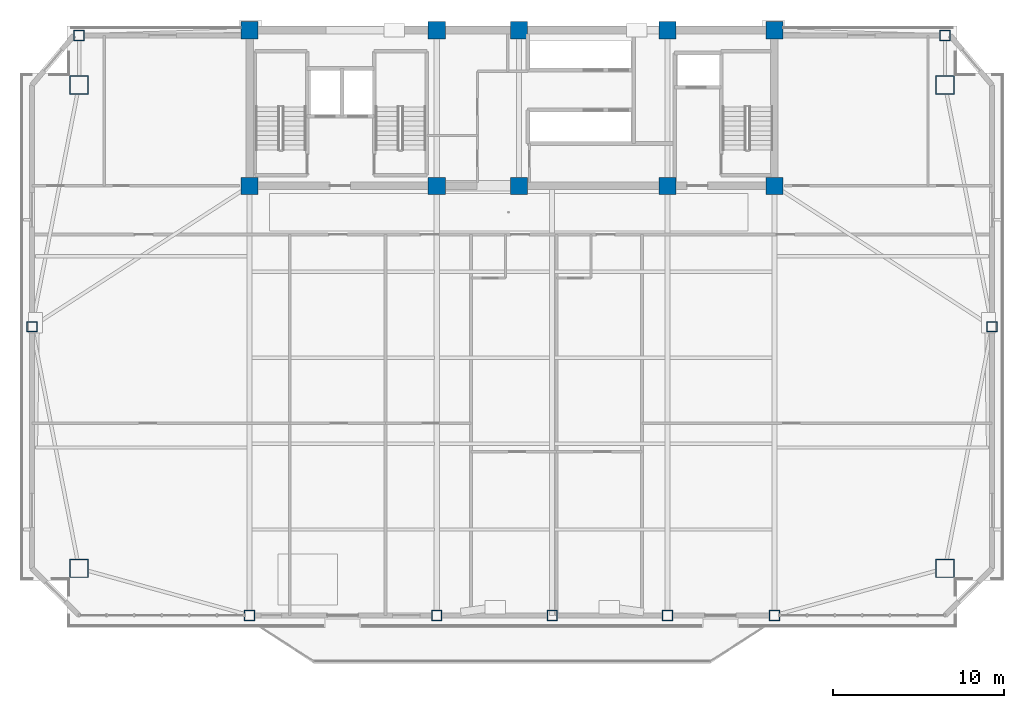
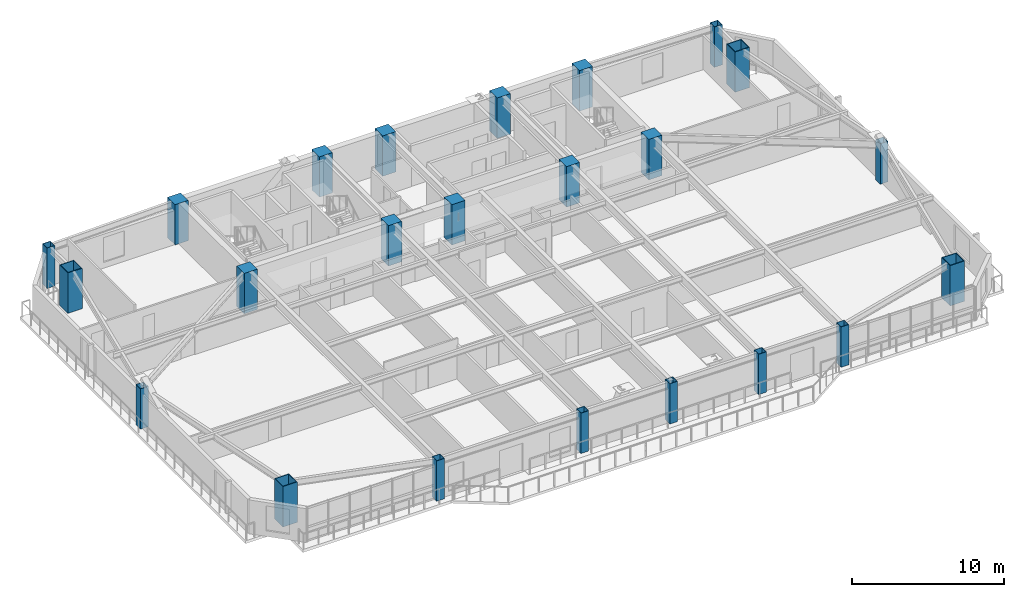
# One storey, part 1 of 17: 23 columns.
"""IFC4 building model written with IfcOpenShell, lengths in metres."""

from ifc_helpers import new_model, si_unit, direction, frame, origin, origin_2d, place, context, subcontext, project, spatial, rectangle, hollow_rectangle, extrude, source, transform, mapped, material, material_profile, profile_set, type_object, element, save


model = new_model("IFC4")

# Units and contexts
model_context = context("Model", 3, precision=1e-05, world=origin(), true_north=direction((0.0, 1.0)))
body_context = subcontext(model_context, "Body", "Model", "MODEL_VIEW")
ifc_project = project(units=[si_unit("LENGTHUNIT", "METRE"), si_unit("AREAUNIT", "SQUARE_METRE"), si_unit("VOLUMEUNIT", "CUBIC_METRE"), si_unit("PLANEANGLEUNIT", "RADIAN"), si_unit("MASSUNIT", "GRAM", prefix="KILO")], contexts=[model_context])

# Site, building, storey
site_placement = place(None, origin())
site = spatial("IfcSite", under=ifc_project, at=site_placement, CompositionType="ELEMENT")
building_placement = place(site_placement, origin())
building = spatial("IfcBuilding", under=site, at=building_placement, Name="Giltprow Tower", CompositionType="ELEMENT")
storey_placement = place(building_placement, frame((0.0, 0.0, 216.699951171875)))
storey = spatial("IfcBuildingStorey", under=building, at=storey_placement, Name="L55", CompositionType="ELEMENT", Elevation=216.699951171875)

# Columns
ifc_material_1 = material(Name="Concrete C50", Category="concrete")
ifc_material_profile_1 = material_profile(ifc_material_1, rectangle(XDim=1.0, YDim=1.0, at=origin_2d()), Name="RC 1000x1000")
ifc_profile_set_1 = profile_set([ifc_material_profile_1], Name="Concrete C50")
column_type_1 = type_object("IfcColumnType", Name="PIL-RC-1000-C50", PredefinedType="PILASTER", material=ifc_profile_set_1)
shared_shape_1 = source(origin(), body_context, "Body", "SweptSolid", [
    extrude(rectangle(XDim=1.0, YDim=1.0, at=origin_2d()), origin(), (0.0, 0.0, 1.0), 3.239990234375),
])
for number, where, z_axis, x_axis, name in (
    (1, (19.85009765625, 37.449951171875, 0.0), (0.0, 0.0, 1.0), (1.0, 0.0, 0.0), "L55 Core Boundary Pilaster 1-1"),
    (2, (19.85009765625, 46.550048828125, 0.0), (0.0, 0.0, 1.0), (1.0, 0.0, 0.0), "L55 Core Boundary Pilaster 1-2"),
    (3, (30.800048828125, 37.449951171875, 0.0), (0.0, 0.0, 1.0), (1.0, 0.0, 0.0), "L55 Core Boundary Pilaster 2-1"),
    (4, (30.800048828125, 46.550048828125, 0.0), (0.0, 0.0, 1.0), (1.0, 0.0, 0.0), "L55 Core Boundary Pilaster 2-2"),
    (5, (35.60009765625, 37.449951171875, 0.0), (0.0, 0.0, 1.0), (1.0, 0.0, 0.0), "L55 Core Boundary Pilaster 3-1"),
    (6, (35.60009765625, 46.550048828125, 0.0), (0.0, 0.0, 1.0), (1.0, 0.0, 0.0), "L55 Core Boundary Pilaster 3-2"),
    (7, (44.300048828125, 37.449951171875, 0.0), (0.0, 0.0, 1.0), (1.0, 0.0, 0.0), "L55 Core Boundary Pilaster 4-1"),
    (8, (44.300048828125, 46.550048828125, 0.0), (0.0, 0.0, 1.0), (1.0, 0.0, 0.0), "L55 Core Boundary Pilaster 4-2"),
    (9, (50.550048828125, 37.449951171875, 0.0), (0.0, 0.0, 1.0), (1.0, 0.0, 0.0), "L55 Core Boundary Pilaster 5-1"),
    (10, (50.550048828125, 46.550048828125, 0.0), (0.0, 0.0, 1.0), (1.0, 0.0, 0.0), "L55 Core Boundary Pilaster 5-2"),
):
    element("IfcColumn", number, at=place(storey_placement, frame(where, z_axis=z_axis, x_axis=x_axis)), inside=storey, type_object=column_type_1, Name=name, PredefinedType="PILASTER", context=body_context, shape_type="MappedRepresentation", body=[
        mapped(shared_shape_1, transform((0.0, 0.0, 0.0), x_axis=(1.0, 0.0, 0.0), y_axis=(0.0, 1.0, 0.0), z_axis=(0.0, 0.0, 1.0), scale=1.0)),
    ])
ifc_material_2 = material(Name="Structural steel Q420GJC", Category="steel")
ifc_material_profile_2 = material_profile(ifc_material_2, hollow_rectangle(XDim=1.10009765625, YDim=1.10009765625, WallThickness=0.050048828125, at=origin_2d()), Name="BOX 1100x1100x50")
ifc_profile_set_2 = profile_set([ifc_material_profile_2], Name="Structural steel Q420GJC")
column_type_2 = type_object("IfcColumnType", Name="COL-BOX-1100x1100x50", PredefinedType="COLUMN", material=ifc_profile_set_2)
shared_shape_2 = source(origin(), body_context, "Body", "SweptSolid", [
    extrude(hollow_rectangle(XDim=1.10009765625, YDim=1.10009765625, WallThickness=0.050048828125, at=origin_2d()), origin(), (0.0, 0.0, 1.0), 3.239990234375),
])
for number, where, z_axis, x_axis, name in (
    (11, (9.8720703125, 15.072021484375, 0.0), (0.0, 0.0, 1.0), (1.0, 0.0, 0.0), "L55 Mega-Column MC_SW"),
    (12, (60.528076171875, 15.072021484375, 0.0), (0.0, 0.0, 1.0), (1.0, 0.0, 0.0), "L55 Mega-Column MC_SE"),
    (13, (9.8720703125, 43.345947265625, 0.0), (0.0, 0.0, 1.0), (1.0, 0.0, 0.0), "L55 Mega-Column MC_NW"),
    (14, (60.528076171875, 43.345947265625, 0.0), (0.0, 0.0, 1.0), (1.0, 0.0, 0.0), "L55 Mega-Column MC_NE"),
):
    element("IfcColumn", number, at=place(storey_placement, frame(where, z_axis=z_axis, x_axis=x_axis)), inside=storey, type_object=column_type_2, Name=name, PredefinedType="COLUMN", context=body_context, shape_type="MappedRepresentation", body=[
        mapped(shared_shape_2, transform((0.0, 0.0, 0.0), x_axis=(1.0, 0.0, 0.0), y_axis=(0.0, 1.0, 0.0), z_axis=(0.0, 0.0, 1.0), scale=1.0)),
    ])
ifc_material_3 = material(Name="Structural steel Q355B", Category="steel")
ifc_material_profile_3 = material_profile(ifc_material_3, hollow_rectangle(XDim=0.60009765625, YDim=0.60009765625, WallThickness=0.028076171875, at=origin_2d()), Name="BOX 600x600x28")
ifc_profile_set_3 = profile_set([ifc_material_profile_3], Name="Structural steel Q355B")
column_type_3 = type_object("IfcColumnType", Name="COL-BOX-600x600x28", PredefinedType="COLUMN", material=ifc_profile_set_3)
shared_shape_3 = source(origin(), body_context, "Body", "SweptSolid", [
    extrude(hollow_rectangle(XDim=0.60009765625, YDim=0.60009765625, WallThickness=0.028076171875, at=origin_2d()), origin(), (0.0, 0.0, 1.0), 3.239990234375),
])
for number, where, z_axis, x_axis, name in (
    (15, (19.85009765625, 12.318115234375, 0.0), (0.0, 0.0, 1.0), (1.0, 0.0, 0.0), "L55 Perimeter Column S1"),
    (16, (30.800048828125, 12.318115234375, 0.0), (0.0, 0.0, 1.0), (1.0, 0.0, 0.0), "L55 Perimeter Column S2"),
    (17, (37.550048828125, 12.318115234375, 0.0), (0.0, 0.0, 1.0), (1.0, 0.0, 0.0), "L55 Perimeter Column S_MID"),
    (18, (44.300048828125, 12.318115234375, 0.0), (0.0, 0.0, 1.0), (1.0, 0.0, 0.0), "L55 Perimeter Column S3"),
    (19, (50.550048828125, 12.318115234375, 0.0), (0.0, 0.0, 1.0), (1.0, 0.0, 0.0), "L55 Perimeter Column S4"),
    (20, (7.117919921875, 29.208984375, 0.0), (0.0, 0.0, 1.0), (1.0, 0.0, 0.0), "L55 Perimeter Column W_MID"),
    (21, (63.281982421875, 29.208984375, 0.0), (0.0, 0.0, 1.0), (1.0, 0.0, 0.0), "L55 Perimeter Column E_MID"),
    (22, (9.8720703125, 46.25, 0.0), (0.0, 0.0, 1.0), (1.0, 0.0, 0.0), "L55 Perimeter Column N_W"),
    (23, (60.528076171875, 46.25, 0.0), (0.0, 0.0, 1.0), (1.0, 0.0, 0.0), "L55 Perimeter Column N_E"),
):
    element("IfcColumn", number, at=place(storey_placement, frame(where, z_axis=z_axis, x_axis=x_axis)), inside=storey, type_object=column_type_3, Name=name, PredefinedType="COLUMN", context=body_context, shape_type="MappedRepresentation", body=[
        mapped(shared_shape_3, transform((0.0, 0.0, 0.0), x_axis=(1.0, 0.0, 0.0), y_axis=(0.0, 1.0, 0.0), z_axis=(0.0, 0.0, 1.0), scale=1.0)),
    ])

save(model, "model.ifc")
